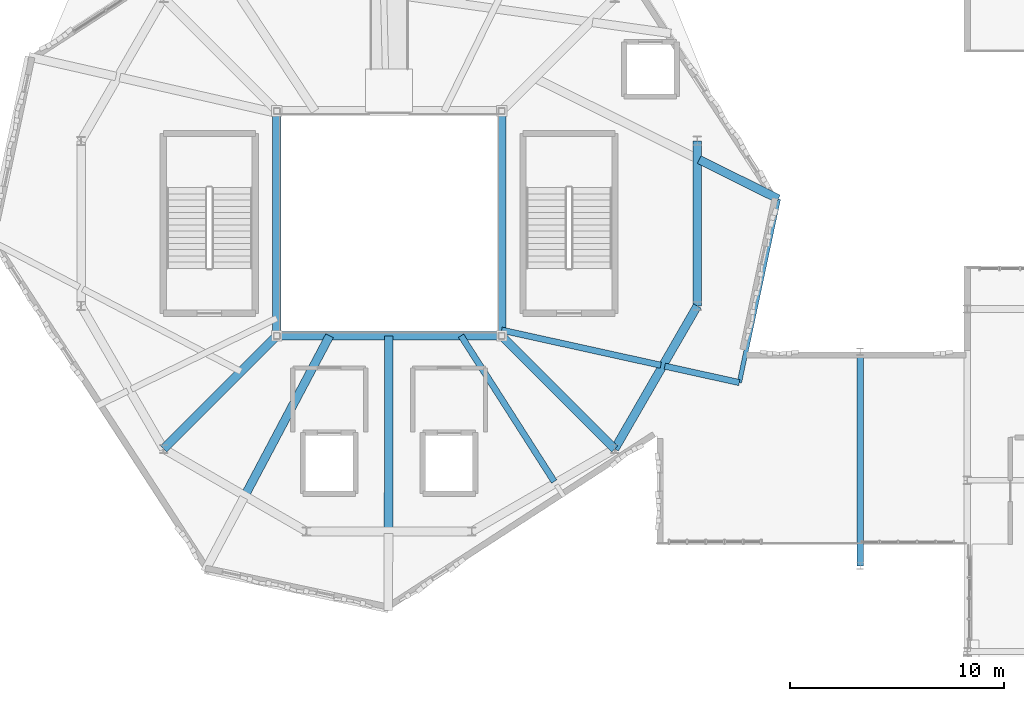
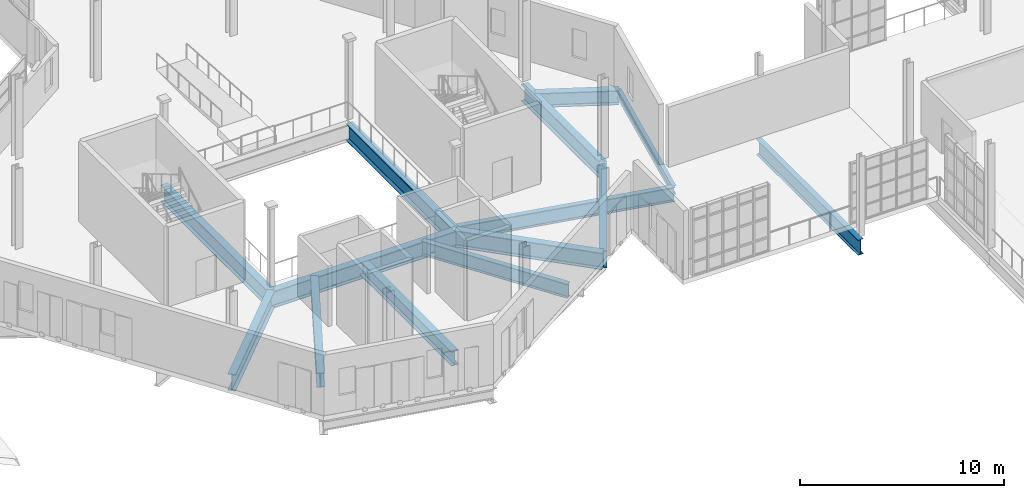
# One storey, part 29 of 118: 15 beams.
"""IFC4 building model written with IfcOpenShell, lengths in metres."""

from ifc_helpers import new_model, si_unit, direction, frame, origin, origin_2d, place, context, subcontext, project, spatial, i_section, extrude, material, material_profile, profile_set, type_object, element, save


model = new_model("IFC4")

# Units and contexts
model_context = context("Model", 3, precision=1e-05, world=origin(), true_north=direction((0.0, 1.0)))
body_context = subcontext(model_context, "Body", "Model", "MODEL_VIEW")
ifc_project = project(units=[si_unit("LENGTHUNIT", "METRE"), si_unit("AREAUNIT", "SQUARE_METRE"), si_unit("VOLUMEUNIT", "CUBIC_METRE"), si_unit("PLANEANGLEUNIT", "RADIAN"), si_unit("MASSUNIT", "GRAM", prefix="KILO"), si_unit("THERMODYNAMICTEMPERATUREUNIT", "KELVIN"), si_unit("POWERUNIT", "WATT")], contexts=[model_context])

# Site, building, storey
site_placement = place(None, origin())
site = spatial("IfcSite", under=ifc_project, at=site_placement, CompositionType="ELEMENT")
building_placement = place(site_placement, origin())
building = spatial("IfcBuilding", under=site, at=building_placement, Name="Zelmaris Science Centre", CompositionType="ELEMENT")
storey_placement = place(building_placement, frame((0.0, 0.0, 15.60009765625)))
storey = spatial("IfcBuildingStorey", under=building, at=storey_placement, Name="L03", CompositionType="ELEMENT", Elevation=15.60009765625)

# Beams
ifc_material = material(Name="Steel ASTM A992 Grade 50", Category="steel")
ifc_material_profile_1 = material_profile(ifc_material, i_section(OverallWidth=0.40087890625, OverallDepth=0.85595703125, WebThickness=0.018310546875, FlangeThickness=0.029296875, FilletRadius=0.02001953125, at=origin_2d()), Name="W33X201")
ifc_profile_set_1 = profile_set([ifc_material_profile_1], Name="Steel ASTM A992 Grade 50")
beam_type_1 = type_object("IfcBeamType", Name="Beam G-05 W33X201", PredefinedType="BEAM", material=ifc_profile_set_1)
beam_1_placement = place(storey_placement, frame((95.477294921875, 38.978759765625, -0.7080078125), z_axis=(0.895617140183, -0.444825739149, 0.0), x_axis=(0.444825739149, 0.895617140183, 0.0)))
element("IfcBeam", 1, at=beam_1_placement, inside=storey, type_object=beam_type_1, Name="L03 Radial overhang girder 4", PredefinedType="BEAM", context=body_context, shape_type="SweptSolid", body=[
    extrude(i_section(OverallWidth=0.40087890625, OverallDepth=0.85595703125, WebThickness=0.018310546875, FlangeThickness=0.029296875, FilletRadius=0.02001953125, at=origin_2d()), origin(), (0.0, 0.0, 1.0), 4.13330078125),
])
beam_2_placement = place(storey_placement, frame((78.21826171875, 30.75, -0.7080078125), z_axis=(-0.468206826293, -0.883618904174, 0.0), x_axis=(0.883618904174, -0.468206826293, 0.0)))
element("IfcBeam", 2, at=beam_2_placement, inside=storey, type_object=beam_type_1, Name="L03 Overhang back-span girder 12", PredefinedType="BEAM", context=body_context, shape_type="SweptSolid", body=[
    extrude(i_section(OverallWidth=0.40087890625, OverallDepth=0.85595703125, WebThickness=0.018310546875, FlangeThickness=0.029296875, FilletRadius=0.02001953125, at=origin_2d()), origin(), (0.0, 0.0, 1.0), 8.365478515625),
])
ifc_material_profile_2 = material_profile(ifc_material, i_section(OverallWidth=0.294921875, OverallDepth=0.85107421875, WebThickness=0.01611328125, FlangeThickness=0.02685546875, FilletRadius=0.02001953125, at=origin_2d()), Name="W33X152")
ifc_profile_set_2 = profile_set([ifc_material_profile_2], Name="Steel ASTM A992 Grade 50")
beam_type_2 = type_object("IfcBeamType", Name="Beam G-06 W33X152", PredefinedType="BEAM", material=ifc_profile_set_2)
beam_3_placement = place(storey_placement, frame((84.356689453125, 30.75, -0.70556640625), z_axis=(0.538666975382, -0.842518777021, 0.0), x_axis=(0.842518777021, 0.538666975382, 0.0)))
element("IfcBeam", 3, at=beam_3_placement, inside=storey, type_object=beam_type_2, Name="L03 Overhang back-span girder 2", PredefinedType="BEAM", context=body_context, shape_type="SweptSolid", body=[
    extrude(i_section(OverallWidth=0.294921875, OverallDepth=0.85107421875, WebThickness=0.01611328125, FlangeThickness=0.02685546875, FilletRadius=0.02001953125, at=origin_2d()), origin(), (0.0, 0.0, 1.0), 8.08056640625),
])
ifc_material_profile_3 = material_profile(ifc_material, i_section(OverallWidth=0.40087890625, OverallDepth=1.0009765625, WebThickness=0.01904296875, FlangeThickness=0.0361328125, FilletRadius=0.02490234375, at=origin_2d()), Name="W40X249")
ifc_profile_set_3 = profile_set([ifc_material_profile_3], Name="Steel ASTM A992 Grade 50")
beam_type_3 = type_object("IfcBeamType", Name="Beam G-22 W40X249", PredefinedType="BEAM", material=ifc_profile_set_3)
for number, where, z_axis, x_axis, name in (
    (4, (91.535888671875, 25.464111328125, -0.780517578125), (0.500006504531, 0.866021648359, 0.0), (-0.866021648359, 0.500006504531, 0.0), "L03 Exhibition inner ring girder 11"),
    (5, (95.392333984375, 32.1435546875, -0.780517578125), (0.0, 1.0, 0.0), (-1.0, 0.0, 0.0), "L03 Exhibition inner ring girder 12"),
):
    element("IfcBeam", number, at=place(storey_placement, frame(where, z_axis=z_axis, x_axis=x_axis)), inside=storey, type_object=beam_type_3, Name=name, PredefinedType="BEAM", context=body_context, shape_type="SweptSolid", body=[
        extrude(i_section(OverallWidth=0.40087890625, OverallDepth=1.0009765625, WebThickness=0.01904296875, FlangeThickness=0.0361328125, FilletRadius=0.02490234375, at=origin_2d()), origin(), (0.0, 0.0, 1.0), 7.712890625),
    ])
for number, where, z_axis, x_axis, name in (
    (6, (75.75, 30.75, -0.780517578125), (1.0, 0.0, 0.0), (0.0, 1.0, 0.0), "L03 Atrium framing girder 1"),
    (7, (86.25, 30.75, -0.780517578125), (0.0, 1.0, 0.0), (-1.0, 0.0, 0.0), "L03 Atrium framing girder 2"),
    (8, (75.75, 41.25, -0.780517578125), (0.0, -1.0, 0.0), (1.0, 0.0, 0.0), "L03 Atrium framing girder 4"),
):
    element("IfcBeam", number, at=place(storey_placement, frame(where, z_axis=z_axis, x_axis=x_axis)), inside=storey, type_object=beam_type_3, Name=name, PredefinedType="BEAM", context=body_context, shape_type="SweptSolid", body=[
        extrude(i_section(OverallWidth=0.40087890625, OverallDepth=1.0009765625, WebThickness=0.01904296875, FlangeThickness=0.0361328125, FilletRadius=0.02490234375, at=origin_2d()), origin(), (0.0, 0.0, 1.0), 10.5),
    ])
for number, where, z_axis, x_axis, name in (
    (9, (75.75, 30.75, -0.780517578125), (-0.707106781187, -0.707106781187, 0.0), (0.707106781187, -0.707106781187, 0.0), "L03 Atrium diagonal header girder 1"),
    (10, (86.25, 30.75, -0.780517578125), (0.707106781187, -0.707106781187, 0.0), (0.707106781187, 0.707106781187, 0.0), "L03 Atrium diagonal header girder 2"),
):
    element("IfcBeam", number, at=place(storey_placement, frame(where, z_axis=z_axis, x_axis=x_axis)), inside=storey, type_object=beam_type_3, Name=name, PredefinedType="BEAM", context=body_context, shape_type="SweptSolid", body=[
        extrude(i_section(OverallWidth=0.40087890625, OverallDepth=1.0009765625, WebThickness=0.01904296875, FlangeThickness=0.0361328125, FilletRadius=0.02490234375, at=origin_2d()), origin(), (0.0, 0.0, 1.0), 7.475341796875),
    ])
ifc_material_profile_4 = material_profile(ifc_material, i_section(OverallWidth=0.304931640625, OverallDepth=0.912109375, WebThickness=0.015869140625, FlangeThickness=0.02392578125, FilletRadius=0.02392578125, at=origin_2d()), Name="W36X150")
ifc_profile_set_4 = profile_set([ifc_material_profile_4], Name="Steel ASTM A992 Grade 50")
beam_type_4 = type_object("IfcBeamType", Name="Beam G-27 W36X150", PredefinedType="BEAM", material=ifc_profile_set_4)
beam_4_placement = place(storey_placement, frame((103.0, 20.0, -0.736083984375), z_axis=(0.0, 1.0, 0.0), x_axis=(-1.0, 0.0, 0.0)))
element("IfcBeam", 11, at=beam_4_placement, inside=storey, type_object=beam_type_4, Name="L03 North-south girder 698", PredefinedType="BEAM", context=body_context, shape_type="SweptSolid", body=[
    extrude(i_section(OverallWidth=0.304931640625, OverallDepth=0.912109375, WebThickness=0.015869140625, FlangeThickness=0.02392578125, FilletRadius=0.02392578125, at=origin_2d()), origin(), (0.0, 0.0, 1.0), 10.0),
])
ifc_material_profile_5 = material_profile(ifc_material, i_section(OverallWidth=0.404052734375, OverallDepth=0.861083984375, WebThickness=0.019775390625, FlangeThickness=0.032470703125, FilletRadius=0.02001953125, at=origin_2d()), Name="W33X221")
ifc_profile_set_5 = profile_set([ifc_material_profile_5], Name="Steel ASTM A992 Grade 50")
beam_type_5 = type_object("IfcBeamType", Name="Beam G-28 W33X221", PredefinedType="BEAM", material=ifc_profile_set_5)
beam_5_placement = place(storey_placement, frame((80.988525390625, 30.75, -0.710693359375), z_axis=(-0.002212742168, -0.999997551883, 0.0), x_axis=(0.999997551883, -0.002212742168, 0.0)))
element("IfcBeam", 12, at=beam_5_placement, inside=storey, type_object=beam_type_5, Name="L03 Overhang back-span girder 1", PredefinedType="BEAM", context=body_context, shape_type="SweptSolid", body=[
    extrude(i_section(OverallWidth=0.404052734375, OverallDepth=0.861083984375, WebThickness=0.019775390625, FlangeThickness=0.032470703125, FilletRadius=0.02001953125, at=origin_2d()), origin(), (0.0, 0.0, 1.0), 9.04736328125),
])
ifc_material_profile_6 = material_profile(ifc_material, i_section(OverallWidth=0.2919921875, OverallDepth=0.85888671875, WebThickness=0.01708984375, FlangeThickness=0.031005859375, FilletRadius=0.02001953125, at=origin_2d()), Name="W33X169")
ifc_profile_set_6 = profile_set([ifc_material_profile_6], Name="Steel ASTM A992 Grade 50")
beam_type_6 = type_object("IfcBeamType", Name="Beam G-29 W33X169", PredefinedType="BEAM", material=ifc_profile_set_6)
beam_6_placement = place(storey_placement, frame((86.25, 31.015380859375, -0.709716796875), z_axis=(0.976494516123, -0.215542246395, 0.0), x_axis=(0.215542246395, 0.976494516123, 0.0)))
element("IfcBeam", 13, at=beam_6_placement, inside=storey, type_object=beam_type_6, Name="L03 Overhang back-span girder 3", PredefinedType="BEAM", context=body_context, shape_type="SweptSolid", body=[
    extrude(i_section(OverallWidth=0.2919921875, OverallDepth=0.85888671875, WebThickness=0.01708984375, FlangeThickness=0.031005859375, FilletRadius=0.02001953125, at=origin_2d()), origin(), (0.0, 0.0, 1.0), 7.6171875),
])
beam_7_placement = place(storey_placement, frame((93.873779296875, 29.33251953125, -0.709716796875), z_axis=(0.976490516172, -0.215560367012, 0.0), x_axis=(0.215560367012, 0.976490516172, 0.0)))
element("IfcBeam", 14, at=beam_7_placement, inside=storey, type_object=beam_type_6, Name="L03 Radial overhang girder 3", PredefinedType="BEAM", context=body_context, shape_type="SweptSolid", body=[
    extrude(i_section(OverallWidth=0.2919921875, OverallDepth=0.85888671875, WebThickness=0.01708984375, FlangeThickness=0.031005859375, FilletRadius=0.02001953125, at=origin_2d()), origin(), (0.0, 0.0, 1.0), 3.56640625),
])
ifc_material_profile_7 = material_profile(ifc_material, i_section(OverallWidth=0.2109375, OverallDepth=0.5380859375, WebThickness=0.01171875, FlangeThickness=0.018798828125, FilletRadius=0.013916015625, at=origin_2d()), Name="W21X73")
ifc_profile_set_7 = profile_set([ifc_material_profile_7], Name="Steel ASTM A992 Grade 50")
beam_type_7 = type_object("IfcBeamType", Name="Beam SP-02 W21X73", PredefinedType="SPANDREL", material=ifc_profile_set_7)
beam_8_placement = place(storey_placement, frame((97.3564453125, 28.563720703125, -0.549072265625), z_axis=(0.207887728425, 0.978152693791, 0.0), x_axis=(-0.978152693791, 0.207887728425, 0.0)))
element("IfcBeam", 15, at=beam_8_placement, inside=storey, type_object=beam_type_7, Name="L03 Rotated facade spandrel beam 1", PredefinedType="SPANDREL", context=body_context, shape_type="SweptSolid", body=[
    extrude(i_section(OverallWidth=0.2109375, OverallDepth=0.5380859375, WebThickness=0.01171875, FlangeThickness=0.018798828125, FilletRadius=0.013916015625, at=origin_2d()), origin(), (0.0, 0.0, 1.0), 8.76806640625),
])

save(model, "model.ifc")
